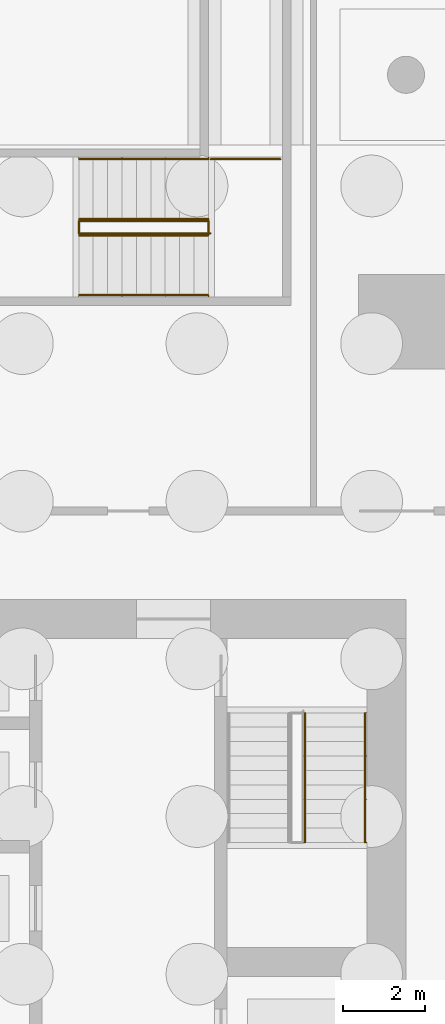
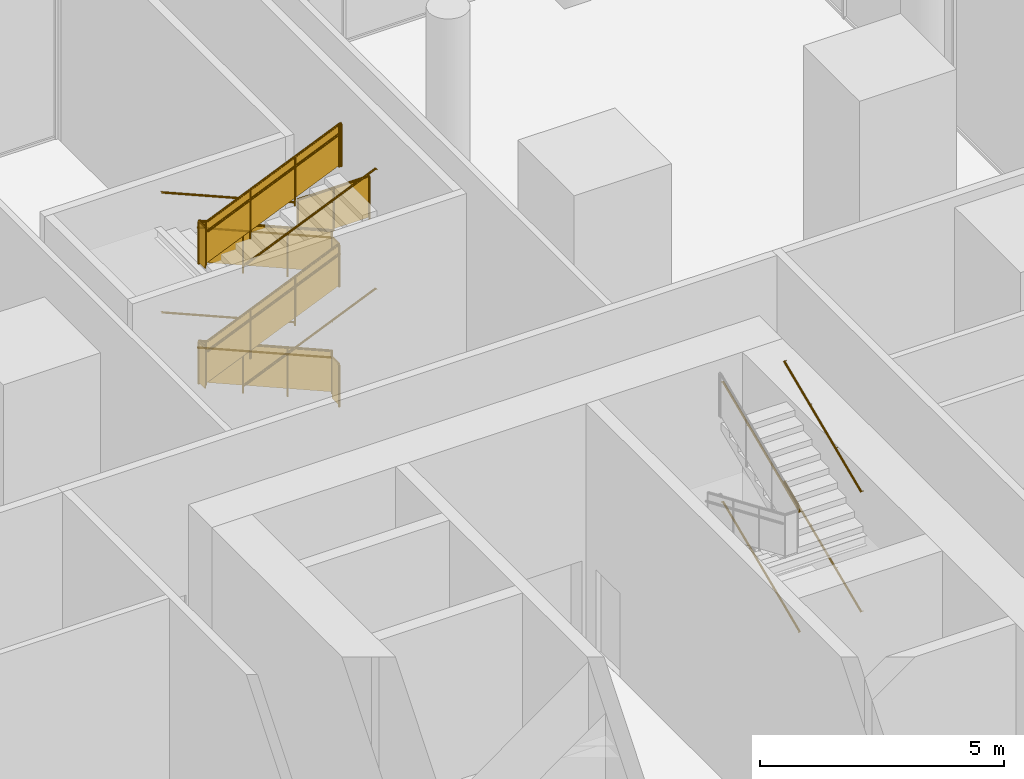
# One storey, part 30 of 31: 14 railings.
"""IFC4 building model written with IfcOpenShell, lengths in metres."""

import ifcopenshell
import ifcopenshell.guid

model = None  # the IFC model being written
_history = None  # IfcOwnerHistory: only IFC2X3 demands one
_inside = {}  # id of a spatial element -> (the spatial element, [elements in it])
_under = {}  # id of a project, library or spatial element -> (it, [spatial elements below it])
_declared = {}  # id of a project -> (the project, [libraries it declares])
_typed = {}  # id of a type object -> (the type object, [elements of that type])
_made_of = {}  # id of a material, layer set ... -> (it, [elements and type objects made of it])


def new_model(schema):
    """Start an empty IFC model of exactly this schema.

    Asked for "IFC4X3", IfcOpenShell would pick the latest addendum, in which some entities
    have other attributes; the version numbers below select the first issue.
    IFC2X3 requires an IfcOwnerHistory on every rooted entity: one is made here for all.
    """
    global model, _history
    if schema == "IFC4X3":
        model = ifcopenshell.file(schema_version=(4, 3, 0, 0))
    else:
        model = ifcopenshell.file(schema=schema)
    _inside.clear()
    _under.clear()
    _declared.clear()
    _typed.clear()
    _made_of.clear()
    _history = None
    if model.schema == "IFC2X3":
        org = make("IfcOrganization", Name="unknown")
        user = make(
            "IfcPersonAndOrganization",
            ThePerson=make("IfcPerson", FamilyName="unknown"),
            TheOrganization=org,
        )
        app = make(
            "IfcApplication",
            ApplicationDeveloper=org,
            Version="unknown",
            ApplicationFullName="unknown",
            ApplicationIdentifier="unknown",
        )
        _history = make(
            "IfcOwnerHistory",
            OwningUser=user,
            OwningApplication=app,
            ChangeAction="ADDED",
            CreationDate=0,
        )
    return model


def make(cls, **values):
    """One entity of the class cls with the attributes given. An attribute that is None is left unset."""
    return model.create_entity(
        cls, **{name: value for name, value in values.items() if value is not None}
    )


def rooted(cls, **values):
    """An entity with a GlobalId (a new one), such as an element, a storey or a relation."""
    return make(cls, GlobalId=ifcopenshell.guid.new(), OwnerHistory=_history, **values)


def si_unit(unit_type, name, prefix=None):
    """IfcSIUnit, for example si_unit("LENGTHUNIT", "METRE", prefix="MILLI")."""
    return make("IfcSIUnit", UnitType=unit_type, Prefix=prefix, Name=name)


def assignment(units):
    """IfcUnitAssignment: the units of a project."""
    return None if units is None else make("IfcUnitAssignment", Units=units)


def point(xyz):
    """IfcCartesianPoint."""
    return None if xyz is None else make("IfcCartesianPoint", Coordinates=xyz)


def direction(xyz):
    """IfcDirection."""
    return None if xyz is None else make("IfcDirection", DirectionRatios=xyz)


def frame(location, z_axis=None, x_axis=None):
    """IfcAxis2Placement3D, a coordinate frame: its origin and axes. An axis left out is left unset."""
    return make(
        "IfcAxis2Placement3D",
        Location=point(location),
        Axis=direction(z_axis),
        RefDirection=direction(x_axis),
    )


def frame_2d(location, x_axis=None):
    """IfcAxis2Placement2D, a coordinate frame in the plane: its origin and x axis."""
    return make(
        "IfcAxis2Placement2D", Location=point(location), RefDirection=direction(x_axis)
    )


def origin():
    """The frame at (0, 0, 0) with its axes left unset."""
    return frame((0.0, 0.0, 0.0))


def origin_2d():
    """The frame at (0, 0) in the plane with its x axis left unset."""
    return frame_2d((0.0, 0.0))


def place(relative_to, where):
    """IfcLocalPlacement: puts the frame where relative to a parent placement (None: the world)."""
    return make(
        "IfcLocalPlacement", PlacementRelTo=relative_to, RelativePlacement=where
    )


def context(
    kind, dimensions, precision=None, world=None, true_north=None, identifier=None
):
    """IfcGeometricRepresentationContext, for example the 3D "Model" context."""
    return make(
        "IfcGeometricRepresentationContext",
        ContextIdentifier=identifier,
        ContextType=kind,
        CoordinateSpaceDimension=dimensions,
        Precision=precision,
        WorldCoordinateSystem=world,
        TrueNorth=true_north,
    )


def subcontext(parent, identifier, kind, view, scale=None):
    """IfcGeometricRepresentationSubContext, for example "Body" below "Model"."""
    return make(
        "IfcGeometricRepresentationSubContext",
        ContextIdentifier=identifier,
        ContextType=kind,
        ParentContext=parent,
        TargetScale=scale,
        TargetView=view,
    )


def project(units=None, contexts=None):
    """IfcProject with its units and contexts."""
    return rooted(
        "IfcProject",
        Name="project",
        RepresentationContexts=contexts,
        UnitsInContext=assignment(units),
    )


def spatial(cls, under=None, at=None, **own):
    """A site, building, storey or space (cls), placed at a placement, below another one or the project."""
    s = rooted(cls, ObjectPlacement=at, **own)
    if under is not None:
        _under.setdefault(under.id(), (under, []))[1].append(s)
    return s


def polyline(points):
    """IfcPolyline through the points."""
    return make("IfcPolyline", Points=[point(p) for p in points])


def profile(cls, at=None, kind="AREA", **sizes):
    """A parametric profile (cls). Its sizes go by their IFC names, for example OverallWidth=200.0."""
    return make(cls, ProfileType=kind, Position=at, **sizes)


def circle(**sizes):
    """IfcCircleProfileDef."""
    return profile("IfcCircleProfileDef", **sizes)


def outline(outer, holes=None, kind="AREA"):
    """IfcArbitraryClosedProfileDef: a profile drawn as a closed curve; with holes, ...WithVoids."""
    if holes is None:
        return make("IfcArbitraryClosedProfileDef", ProfileType=kind, OuterCurve=outer)
    return make(
        "IfcArbitraryProfileDefWithVoids",
        ProfileType=kind,
        OuterCurve=outer,
        InnerCurves=holes,
    )


def extrude(swept, where, along, depth):
    """IfcExtrudedAreaSolid: the profile swept, set in the frame where, extruded along a direction by depth."""
    return make(
        "IfcExtrudedAreaSolid",
        SweptArea=swept,
        Position=where,
        ExtrudedDirection=direction(along),
        Depth=depth,
    )


def shape(context_of_items, identifier, shape_type, items):
    """IfcShapeRepresentation: the items that make up one representation, for example the "Body"."""
    return make(
        "IfcShapeRepresentation",
        ContextOfItems=context_of_items,
        RepresentationIdentifier=identifier,
        RepresentationType=shape_type,
        Items=items,
    )


def material(Name=None, Category=None):
    """IfcMaterial."""
    return make("IfcMaterial", Name=Name, Category=Category)


def made_of(thing, what):
    """Note that an element or type object is made of a material, layer set ...; save() writes the relation."""
    if what is not None:
        _made_of.setdefault(what.id(), (what, []))[1].append(thing)
    return thing


def type_object(cls, material=None, **own):
    """A type object (cls), such as IfcWallType, which elements share."""
    return made_of(rooted(cls, **own), material)


def element(
    cls,
    number,
    at=None,
    inside=None,
    cuts=None,
    type_object=None,
    material=None,
    context=None,
    identifier="Body",
    shape_type=None,
    held_by="IfcProductDefinitionShape",
    body=None,
    shapes=None,
    **own,
):
    """One element of the class cls, such as IfcWall. Its Tag is "e" and its number.

    at: its placement. inside: the storey or other place that contains it. cuts: it is an
    opening in that element (IfcRelVoidsElement). A single representation is given by context,
    identifier, shape_type and body (its items); several are given by shapes. held_by: the class
    of the entity that holds the representations. save() writes the other relations.
    """
    e = rooted(cls, Tag="e%d" % number, ObjectPlacement=at, **own)
    if body is not None:
        shapes = [shape(context, identifier, shape_type, body)]
    if shapes is not None:
        e.Representation = make(held_by, Representations=shapes)
    if inside is not None:
        _inside.setdefault(inside.id(), (inside, []))[1].append(e)
    if cuts is not None:
        rooted(
            "IfcRelVoidsElement", RelatingBuildingElement=cuts, RelatedOpeningElement=e
        )
    if type_object is not None:
        _typed.setdefault(type_object.id(), (type_object, []))[1].append(e)
    return made_of(e, material)


def aggregate(whole, parts):
    """IfcRelAggregates: a whole, such as a stair, and the parts it consists of."""
    return rooted("IfcRelAggregates", RelatingObject=whole, RelatedObjects=parts)


def save(model, path):
    """Write the relations noted so far, then the file.

    IfcRelAggregates (storeys below a building ...), IfcRelContainedInSpatialStructure (elements
    in a storey), IfcRelDefinesByType, IfcRelAssociatesMaterial and IfcRelDeclares: one each for
    every whole, place, type object, material and project.
    """
    for whole, parts in _under.values():
        aggregate(whole, parts)
    for where, things in _inside.values():
        rooted(
            "IfcRelContainedInSpatialStructure",
            RelatedElements=things,
            RelatingStructure=where,
        )
    for kind, things in _typed.values():
        rooted("IfcRelDefinesByType", RelatedObjects=things, RelatingType=kind)
    for what, things in _made_of.values():
        rooted("IfcRelAssociatesMaterial", RelatedObjects=things, RelatingMaterial=what)
    for by, libraries in _declared.values():
        rooted("IfcRelDeclares", RelatingContext=by, RelatedDefinitions=libraries)
    model.write(path)


model = new_model("IFC4")

# Units and contexts
model_context = context("Model", 3, precision=1e-05, world=origin(), true_north=direction((0.0, 1.0)))
body_context = subcontext(model_context, "Body", "Model", "MODEL_VIEW")
ifc_project = project(units=[si_unit("LENGTHUNIT", "METRE"), si_unit("AREAUNIT", "SQUARE_METRE"), si_unit("VOLUMEUNIT", "CUBIC_METRE"), si_unit("PLANEANGLEUNIT", "RADIAN"), si_unit("MASSUNIT", "GRAM", prefix="KILO")], contexts=[model_context])

# Site, building, storey
site_placement = place(None, origin())
site = spatial("IfcSite", under=ifc_project, at=site_placement, CompositionType="ELEMENT")
building_placement = place(site_placement, origin())
building = spatial("IfcBuilding", under=site, at=building_placement, Name="Namib Vertical Campus", CompositionType="ELEMENT")
storey_placement = place(building_placement, origin())
storey = spatial("IfcBuildingStorey", under=building, at=storey_placement, Name="L00", CompositionType="ELEMENT", Elevation=0.0)

# Railings
ifc_material_1 = material(Name="Steel handrail", Category="steel")
railing_type_1 = type_object("IfcRailingType", Name="Handrail 900", PredefinedType="HANDRAIL", material=ifc_material_1)
for number, where, name in (
    (1, (86.75, 23.35009765625, 1.64990234375), "Handrail HR1 B-S2 L00 2"),
    (2, (86.75, 23.35009765625, 4.64990234375), "Handrail HR1 B-S2 L00 4"),
):
    element("IfcRailing", number, at=place(storey_placement, frame(where)), inside=storey, type_object=railing_type_1, Name=name, PredefinedType="HANDRAIL", context=body_context, shape_type="SweptSolid", body=[
        extrude(circle(Radius=0.02392578125, at=origin_2d()), frame((0.0, 0.0, 0.8759765625), z_axis=(0.0, 0.919130290196, 0.393953689721), x_axis=(-1.0, 0.0, 0.0)), (0.0, 0.0, 1.0), 3.427001953125),
        extrude(circle(Radius=0.008056640625, at=origin_2d()), frame((0.0, 0.0, 0.8759765625), z_axis=(1.0, 0.0, 0.0), x_axis=(0.0, 0.0, 1.0)), (0.0, 0.0, 1.0), 0.050048828125),
        extrude(circle(Radius=0.008056640625, at=origin_2d()), frame((0.0, 1.050048828125, 1.325927734375), z_axis=(1.0, 0.0, 0.0), x_axis=(0.0, 0.0, 1.0)), (0.0, 0.0, 1.0), 0.050048828125),
        extrude(circle(Radius=0.008056640625, at=origin_2d()), frame((0.0, 2.099853515625, 1.77587890625), z_axis=(1.0, 0.0, 0.0), x_axis=(0.0, 0.0, 1.0)), (0.0, 0.0, 1.0), 0.050048828125),
        extrude(circle(Radius=0.008056640625, at=origin_2d()), frame((0.0, 3.14990234375, 2.22607421875), z_axis=(1.0, 0.0, 0.0), x_axis=(0.0, 0.0, 1.0)), (0.0, 0.0, 1.0), 0.050048828125),
    ])
for number, where, name in (
    (3, (85.300048828125, 23.35009765625, 1.64990234375), "Handrail HR1 B-S2 L00 2 at the well"),
    (4, (85.300048828125, 23.35009765625, 4.64990234375), "Handrail HR1 B-S2 L00 4 at the well"),
):
    element("IfcRailing", number, at=place(storey_placement, frame(where)), inside=storey, type_object=railing_type_1, Name=name, PredefinedType="HANDRAIL", context=body_context, shape_type="SweptSolid", body=[
        extrude(circle(Radius=0.02392578125, at=origin_2d()), frame((0.0, 0.0, 0.8759765625), z_axis=(0.0, 0.919130290196, 0.393953689721), x_axis=(-1.0, 0.0, 0.0)), (0.0, 0.0, 1.0), 3.427001953125),
        extrude(circle(Radius=0.008056640625, at=origin_2d()), frame((0.0, 0.0, 0.8759765625), z_axis=(-1.0, 0.0, 0.0), x_axis=(0.0, 0.0, 1.0)), (0.0, 0.0, 1.0), 0.0400390625),
        extrude(circle(Radius=0.008056640625, at=origin_2d()), frame((0.0, 1.050048828125, 1.325927734375), z_axis=(-1.0, 0.0, 0.0), x_axis=(0.0, 0.0, 1.0)), (0.0, 0.0, 1.0), 0.0400390625),
        extrude(circle(Radius=0.008056640625, at=origin_2d()), frame((0.0, 2.099853515625, 1.77587890625), z_axis=(-1.0, 0.0, 0.0), x_axis=(0.0, 0.0, 1.0)), (0.0, 0.0, 1.0), 0.0400390625),
        extrude(circle(Radius=0.008056640625, at=origin_2d()), frame((0.0, 3.14990234375, 2.22607421875), z_axis=(-1.0, 0.0, 0.0), x_axis=(0.0, 0.0, 1.0)), (0.0, 0.0, 1.0), 0.0400390625),
    ])
railing_1_placement = place(storey_placement, frame((82.949951171875, 39.949951171875, 0.14990234375)))
element("IfcRailing", 5, at=railing_1_placement, inside=storey, type_object=railing_type_1, Name="Handrail HR1 B-S3 L00 1", PredefinedType="HANDRAIL", context=body_context, shape_type="SweptSolid", body=[
    extrude(circle(Radius=0.02392578125, at=origin_2d()), frame((0.0, 0.0, 0.8759765625), z_axis=(-0.919130290196, 0.0, 0.393953689721), x_axis=(0.0, -1.0, 0.0)), (0.0, 0.0, 1.0), 3.427001953125),
    extrude(circle(Radius=0.008056640625, at=origin_2d()), frame((0.0, 0.0, 0.8759765625), z_axis=(0.0, 1.0, 0.0), x_axis=(0.0, 0.0, 1.0)), (0.0, 0.0, 1.0), 0.050048828125),
    extrude(circle(Radius=0.008056640625, at=origin_2d()), frame((-1.050048828125, 0.0, 1.325927734375), z_axis=(0.0, 1.0, 0.0), x_axis=(0.0, 0.0, 1.0)), (0.0, 0.0, 1.0), 0.050048828125),
    extrude(circle(Radius=0.008056640625, at=origin_2d()), frame((-2.099853515625, 0.0, 1.77587890625), z_axis=(0.0, 1.0, 0.0), x_axis=(0.0, 0.0, 1.0)), (0.0, 0.0, 1.0), 0.050048828125),
    extrude(circle(Radius=0.008056640625, at=origin_2d()), frame((-3.14990234375, 0.0, 2.22607421875), z_axis=(0.0, 1.0, 0.0), x_axis=(0.0, 0.0, 1.0)), (0.0, 0.0, 1.0), 0.050048828125),
])
railing_2_placement = place(storey_placement, frame((79.800048828125, 36.64990234375, 1.64990234375)))
element("IfcRailing", 6, at=railing_2_placement, inside=storey, type_object=railing_type_1, Name="Handrail HR1 B-S3 L00 2", PredefinedType="HANDRAIL", context=body_context, shape_type="SweptSolid", body=[
    extrude(circle(Radius=0.02392578125, at=origin_2d()), frame((0.0, 0.0, 0.8759765625), z_axis=(0.919130290196, 0.0, 0.393953689721), x_axis=(0.0, 1.0, 0.0)), (0.0, 0.0, 1.0), 3.427001953125),
    extrude(circle(Radius=0.008056640625, at=origin_2d()), frame((0.0, 0.0, 0.8759765625), z_axis=(0.0, -1.0, 0.0), x_axis=(0.0, 0.0, 1.0)), (0.0, 0.0, 1.0), 0.050048828125),
    extrude(circle(Radius=0.008056640625, at=origin_2d()), frame((1.050048828125, 0.0, 1.325927734375), z_axis=(0.0, -1.0, 0.0), x_axis=(0.0, 0.0, 1.0)), (0.0, 0.0, 1.0), 0.050048828125),
    extrude(circle(Radius=0.008056640625, at=origin_2d()), frame((2.099853515625, 0.0, 1.77587890625), z_axis=(0.0, -1.0, 0.0), x_axis=(0.0, 0.0, 1.0)), (0.0, 0.0, 1.0), 0.050048828125),
    extrude(circle(Radius=0.008056640625, at=origin_2d()), frame((3.14990234375, 0.0, 2.22607421875), z_axis=(0.0, -1.0, 0.0), x_axis=(0.0, 0.0, 1.0)), (0.0, 0.0, 1.0), 0.050048828125),
])
railing_3_placement = place(storey_placement, frame((82.949951171875, 39.949951171875, 3.14990234375)))
element("IfcRailing", 7, at=railing_3_placement, inside=storey, type_object=railing_type_1, Name="Handrail HR1 B-S3 L00 3", PredefinedType="HANDRAIL", context=body_context, shape_type="SweptSolid", body=[
    extrude(circle(Radius=0.02392578125, at=origin_2d()), frame((0.0, 0.0, 0.8759765625), z_axis=(-0.919130290196, 0.0, 0.393953689721), x_axis=(0.0, -1.0, 0.0)), (0.0, 0.0, 1.0), 3.427001953125),
    extrude(circle(Radius=0.008056640625, at=origin_2d()), frame((0.0, 0.0, 0.8759765625), z_axis=(0.0, 1.0, 0.0), x_axis=(0.0, 0.0, 1.0)), (0.0, 0.0, 1.0), 0.050048828125),
    extrude(circle(Radius=0.008056640625, at=origin_2d()), frame((-1.050048828125, 0.0, 1.325927734375), z_axis=(0.0, 1.0, 0.0), x_axis=(0.0, 0.0, 1.0)), (0.0, 0.0, 1.0), 0.050048828125),
    extrude(circle(Radius=0.008056640625, at=origin_2d()), frame((-2.099853515625, 0.0, 1.77587890625), z_axis=(0.0, 1.0, 0.0), x_axis=(0.0, 0.0, 1.0)), (0.0, 0.0, 1.0), 0.050048828125),
    extrude(circle(Radius=0.008056640625, at=origin_2d()), frame((-3.14990234375, 0.0, 2.22607421875), z_axis=(0.0, 1.0, 0.0), x_axis=(0.0, 0.0, 1.0)), (0.0, 0.0, 1.0), 0.050048828125),
])
railing_4_placement = place(storey_placement, frame((79.800048828125, 36.64990234375, 4.64990234375)))
element("IfcRailing", 8, at=railing_4_placement, inside=storey, type_object=railing_type_1, Name="Handrail HR1 B-S3 L00 4", PredefinedType="HANDRAIL", context=body_context, shape_type="SweptSolid", body=[
    extrude(circle(Radius=0.02392578125, at=origin_2d()), frame((0.0, 0.0, 0.8759765625), z_axis=(0.919130290196, 0.0, 0.393953689721), x_axis=(0.0, 1.0, 0.0)), (0.0, 0.0, 1.0), 3.427001953125),
    extrude(circle(Radius=0.008056640625, at=origin_2d()), frame((0.0, 0.0, 0.8759765625), z_axis=(0.0, -1.0, 0.0), x_axis=(0.0, 0.0, 1.0)), (0.0, 0.0, 1.0), 0.050048828125),
    extrude(circle(Radius=0.008056640625, at=origin_2d()), frame((1.050048828125, 0.0, 1.325927734375), z_axis=(0.0, -1.0, 0.0), x_axis=(0.0, 0.0, 1.0)), (0.0, 0.0, 1.0), 0.050048828125),
    extrude(circle(Radius=0.008056640625, at=origin_2d()), frame((2.099853515625, 0.0, 1.77587890625), z_axis=(0.0, -1.0, 0.0), x_axis=(0.0, 0.0, 1.0)), (0.0, 0.0, 1.0), 0.050048828125),
    extrude(circle(Radius=0.008056640625, at=origin_2d()), frame((3.14990234375, 0.0, 2.22607421875), z_axis=(0.0, -1.0, 0.0), x_axis=(0.0, 0.0, 1.0)), (0.0, 0.0, 1.0), 0.050048828125),
])
railing_5_placement = place(storey_placement, frame((82.949951171875, 38.5, 0.14990234375)))
element("IfcRailing", 9, at=railing_5_placement, inside=storey, type_object=railing_type_1, Name="Handrail HR1 B-S3 L00 1 at the well", PredefinedType="HANDRAIL", context=body_context, shape_type="SweptSolid", body=[
    extrude(circle(Radius=0.02392578125, at=origin_2d()), frame((0.0, 0.0, 0.8759765625), z_axis=(-0.919130290196, 0.0, 0.393953689721), x_axis=(0.0, -1.0, 0.0)), (0.0, 0.0, 1.0), 3.427001953125),
    extrude(circle(Radius=0.008056640625, at=origin_2d()), frame((0.0, 0.0, 0.8759765625), z_axis=(0.0, -1.0, 0.0), x_axis=(0.0, 0.0, 1.0)), (0.0, 0.0, 1.0), 0.0400390625),
    extrude(circle(Radius=0.008056640625, at=origin_2d()), frame((-1.050048828125, 0.0, 1.325927734375), z_axis=(0.0, -1.0, 0.0), x_axis=(0.0, 0.0, 1.0)), (0.0, 0.0, 1.0), 0.0400390625),
    extrude(circle(Radius=0.008056640625, at=origin_2d()), frame((-2.099853515625, 0.0, 1.77587890625), z_axis=(0.0, -1.0, 0.0), x_axis=(0.0, 0.0, 1.0)), (0.0, 0.0, 1.0), 0.0400390625),
    extrude(circle(Radius=0.008056640625, at=origin_2d()), frame((-3.14990234375, 0.0, 2.22607421875), z_axis=(0.0, -1.0, 0.0), x_axis=(0.0, 0.0, 1.0)), (0.0, 0.0, 1.0), 0.0400390625),
])
railing_6_placement = place(storey_placement, frame((79.800048828125, 38.10009765625, 1.64990234375)))
element("IfcRailing", 10, at=railing_6_placement, inside=storey, type_object=railing_type_1, Name="Handrail HR1 B-S3 L00 2 at the well", PredefinedType="HANDRAIL", context=body_context, shape_type="SweptSolid", body=[
    extrude(circle(Radius=0.02392578125, at=origin_2d()), frame((0.0, 0.0, 0.8759765625), z_axis=(0.919130290196, 0.0, 0.393953689721), x_axis=(0.0, 1.0, 0.0)), (0.0, 0.0, 1.0), 3.427001953125),
    extrude(circle(Radius=0.008056640625, at=origin_2d()), frame((0.0, 0.0, 0.8759765625), z_axis=(0.0, 1.0, 0.0), x_axis=(0.0, 0.0, 1.0)), (0.0, 0.0, 1.0), 0.0400390625),
    extrude(circle(Radius=0.008056640625, at=origin_2d()), frame((1.050048828125, 0.0, 1.325927734375), z_axis=(0.0, 1.0, 0.0), x_axis=(0.0, 0.0, 1.0)), (0.0, 0.0, 1.0), 0.0400390625),
    extrude(circle(Radius=0.008056640625, at=origin_2d()), frame((2.099853515625, 0.0, 1.77587890625), z_axis=(0.0, 1.0, 0.0), x_axis=(0.0, 0.0, 1.0)), (0.0, 0.0, 1.0), 0.0400390625),
    extrude(circle(Radius=0.008056640625, at=origin_2d()), frame((3.14990234375, 0.0, 2.22607421875), z_axis=(0.0, 1.0, 0.0), x_axis=(0.0, 0.0, 1.0)), (0.0, 0.0, 1.0), 0.0400390625),
])
railing_7_placement = place(storey_placement, frame((82.949951171875, 38.5, 3.14990234375)))
element("IfcRailing", 11, at=railing_7_placement, inside=storey, type_object=railing_type_1, Name="Handrail HR1 B-S3 L00 3 at the well", PredefinedType="HANDRAIL", context=body_context, shape_type="SweptSolid", body=[
    extrude(circle(Radius=0.02392578125, at=origin_2d()), frame((0.0, 0.0, 0.8759765625), z_axis=(-0.919130290196, 0.0, 0.393953689721), x_axis=(0.0, -1.0, 0.0)), (0.0, 0.0, 1.0), 3.427001953125),
    extrude(circle(Radius=0.008056640625, at=origin_2d()), frame((0.0, 0.0, 0.8759765625), z_axis=(0.0, -1.0, 0.0), x_axis=(0.0, 0.0, 1.0)), (0.0, 0.0, 1.0), 0.0400390625),
    extrude(circle(Radius=0.008056640625, at=origin_2d()), frame((-1.050048828125, 0.0, 1.325927734375), z_axis=(0.0, -1.0, 0.0), x_axis=(0.0, 0.0, 1.0)), (0.0, 0.0, 1.0), 0.0400390625),
    extrude(circle(Radius=0.008056640625, at=origin_2d()), frame((-2.099853515625, 0.0, 1.77587890625), z_axis=(0.0, -1.0, 0.0), x_axis=(0.0, 0.0, 1.0)), (0.0, 0.0, 1.0), 0.0400390625),
    extrude(circle(Radius=0.008056640625, at=origin_2d()), frame((-3.14990234375, 0.0, 2.22607421875), z_axis=(0.0, -1.0, 0.0), x_axis=(0.0, 0.0, 1.0)), (0.0, 0.0, 1.0), 0.0400390625),
])
railing_8_placement = place(storey_placement, frame((79.800048828125, 38.10009765625, 4.64990234375)))
element("IfcRailing", 12, at=railing_8_placement, inside=storey, type_object=railing_type_1, Name="Handrail HR1 B-S3 L00 4 at the well", PredefinedType="HANDRAIL", context=body_context, shape_type="SweptSolid", body=[
    extrude(circle(Radius=0.02392578125, at=origin_2d()), frame((0.0, 0.0, 0.8759765625), z_axis=(0.919130290196, 0.0, 0.393953689721), x_axis=(0.0, 1.0, 0.0)), (0.0, 0.0, 1.0), 3.427001953125),
    extrude(circle(Radius=0.008056640625, at=origin_2d()), frame((0.0, 0.0, 0.8759765625), z_axis=(0.0, 1.0, 0.0), x_axis=(0.0, 0.0, 1.0)), (0.0, 0.0, 1.0), 0.0400390625),
    extrude(circle(Radius=0.008056640625, at=origin_2d()), frame((1.050048828125, 0.0, 1.325927734375), z_axis=(0.0, 1.0, 0.0), x_axis=(0.0, 0.0, 1.0)), (0.0, 0.0, 1.0), 0.0400390625),
    extrude(circle(Radius=0.008056640625, at=origin_2d()), frame((2.099853515625, 0.0, 1.77587890625), z_axis=(0.0, 1.0, 0.0), x_axis=(0.0, 0.0, 1.0)), (0.0, 0.0, 1.0), 0.0400390625),
    extrude(circle(Radius=0.008056640625, at=origin_2d()), frame((3.14990234375, 0.0, 2.22607421875), z_axis=(0.0, 1.0, 0.0), x_axis=(0.0, 0.0, 1.0)), (0.0, 0.0, 1.0), 0.0400390625),
])
ifc_material_2 = material(Name="Steel balustrade", Category="steel")
railing_type_2 = type_object("IfcRailingType", Name="Stair guard 1100", PredefinedType="GUARDRAIL", material=ifc_material_2)
railing_9_placement = place(storey_placement, frame((82.949951171875, 38.14990234375, 0.0)))
element("IfcRailing", 13, at=railing_9_placement, inside=storey, type_object=railing_type_2, Name="Stair guard GR1 B-S3 L00", PredefinedType="GUARDRAIL", context=body_context, shape_type="SweptSolid", body=[
    extrude(circle(Radius=0.02392578125, at=origin_2d()), frame((0.0, 0.0, 1.076171875), z_axis=(0.0, 1.0, 0.0), x_axis=(-1.0, 0.0, 0.0)), (0.0, 0.0, 1.0), 0.300048828125),
    extrude(outline(polyline([(0.02099609375, 0.050048828125), (0.279052734375, 0.050048828125), (0.279052734375, 1.052001953125), (0.02099609375, 1.052001953125), (0.02099609375, 0.050048828125)])), frame((-0.010009765625, 0.0, 0.0), z_axis=(1.0, 0.0, 0.0), x_axis=(0.0, 1.0, 0.0)), (0.0, 0.0, 1.0), 0.02001953125),
    extrude(circle(Radius=0.02392578125, at=origin_2d()), frame((0.0, 0.300048828125, 1.076171875), z_axis=(0.0, 0.0, 1.0), x_axis=(1.0, 0.0, 0.0)), (0.0, 0.0, 1.0), 0.14990234375),
    extrude(circle(Radius=0.02392578125, at=origin_2d()), frame((0.0, 0.300048828125, 1.22607421875), z_axis=(-0.919130290196, 0.0, 0.393953689721), x_axis=(0.0, -1.0, 0.0)), (0.0, 0.0, 1.0), 3.427001953125),
    extrude(outline(polyline([(0.02099609375, 0.05908203125), (3.12890625, 1.39111328125), (3.12890625, 2.39306640625), (0.02099609375, 1.06103515625), (0.02099609375, 0.05908203125)])), frame((0.0, 0.2900390625, 0.14990234375), z_axis=(0.0, 1.0, 0.0), x_axis=(-1.0, 0.0, 0.0)), (0.0, 0.0, 1.0), 0.02001953125),
    extrude(circle(Radius=0.02392578125, at=origin_2d()), frame((-3.14990234375, 0.300048828125, 2.576171875), z_axis=(0.0, -1.0, 0.0), x_axis=(1.0, 0.0, 0.0)), (0.0, 0.0, 1.0), 0.300048828125),
    extrude(outline(polyline([(0.02099609375, 0.050048828125), (0.279052734375, 0.050048828125), (0.279052734375, 1.052001953125), (0.02099609375, 1.052001953125), (0.02099609375, 0.050048828125)])), frame((-3.139892578125, 0.300048828125, 1.5), z_axis=(-1.0, 0.0, 0.0), x_axis=(0.0, -1.0, 0.0)), (0.0, 0.0, 1.0), 0.02001953125),
    extrude(circle(Radius=0.02392578125, at=origin_2d()), frame((-3.14990234375, 0.0, 2.576171875), z_axis=(0.0, 0.0, 1.0), x_axis=(1.0, 0.0, 0.0)), (0.0, 0.0, 1.0), 0.14990234375),
    extrude(circle(Radius=0.02392578125, at=origin_2d()), frame((-3.14990234375, 0.0, 2.72607421875), z_axis=(0.919130290196, 0.0, 0.393953689721), x_axis=(0.0, 1.0, 0.0)), (0.0, 0.0, 1.0), 3.427001953125),
    extrude(outline(polyline([(0.02099609375, 0.05908203125), (3.12890625, 1.39111328125), (3.12890625, 2.39306640625), (0.02099609375, 1.06103515625), (0.02099609375, 0.05908203125)])), frame((-3.14990234375, 0.010009765625, 1.64990234375), z_axis=(0.0, -1.0, 0.0), x_axis=(1.0, 0.0, 0.0)), (0.0, 0.0, 1.0), 0.02001953125),
    extrude(circle(Radius=0.02392578125, at=origin_2d()), frame((0.0, 0.0, 4.076171875), z_axis=(0.0, 1.0, 0.0), x_axis=(-1.0, 0.0, 0.0)), (0.0, 0.0, 1.0), 0.300048828125),
    extrude(outline(polyline([(0.02099609375, 0.050048828125), (0.279052734375, 0.050048828125), (0.279052734375, 1.052001953125), (0.02099609375, 1.052001953125), (0.02099609375, 0.050048828125)])), frame((-0.010009765625, 0.0, 3.0), z_axis=(1.0, 0.0, 0.0), x_axis=(0.0, 1.0, 0.0)), (0.0, 0.0, 1.0), 0.02001953125),
    extrude(circle(Radius=0.02392578125, at=origin_2d()), frame((0.0, 0.300048828125, 4.076171875), z_axis=(0.0, 0.0, 1.0), x_axis=(1.0, 0.0, 0.0)), (0.0, 0.0, 1.0), 0.14990234375),
    extrude(circle(Radius=0.02392578125, at=origin_2d()), frame((0.0, 0.300048828125, 4.22607421875), z_axis=(-0.919130290196, 0.0, 0.393953689721), x_axis=(0.0, -1.0, 0.0)), (0.0, 0.0, 1.0), 3.427001953125),
    extrude(outline(polyline([(0.02099609375, 0.05908203125), (3.12890625, 1.39111328125), (3.12890625, 2.39306640625), (0.02099609375, 1.06103515625), (0.02099609375, 0.05908203125)])), frame((0.0, 0.2900390625, 3.14990234375), z_axis=(0.0, 1.0, 0.0), x_axis=(-1.0, 0.0, 0.0)), (0.0, 0.0, 1.0), 0.02001953125),
    extrude(circle(Radius=0.02392578125, at=origin_2d()), frame((-3.14990234375, 0.300048828125, 5.576171875), z_axis=(0.0, -1.0, 0.0), x_axis=(1.0, 0.0, 0.0)), (0.0, 0.0, 1.0), 0.300048828125),
    extrude(outline(polyline([(0.02099609375, 0.050048828125), (0.279052734375, 0.050048828125), (0.279052734375, 1.052001953125), (0.02099609375, 1.052001953125), (0.02099609375, 0.050048828125)])), frame((-3.139892578125, 0.300048828125, 4.5), z_axis=(-1.0, 0.0, 0.0), x_axis=(0.0, -1.0, 0.0)), (0.0, 0.0, 1.0), 0.02001953125),
    extrude(circle(Radius=0.02392578125, at=origin_2d()), frame((-3.14990234375, 0.0, 5.576171875), z_axis=(0.0, 0.0, 1.0), x_axis=(1.0, 0.0, 0.0)), (0.0, 0.0, 1.0), 0.14990234375),
    extrude(circle(Radius=0.02392578125, at=origin_2d()), frame((-3.14990234375, 0.0, 5.72607421875), z_axis=(0.919130290196, 0.0, 0.393953689721), x_axis=(0.0, 1.0, 0.0)), (0.0, 0.0, 1.0), 3.427001953125),
    extrude(outline(polyline([(0.02099609375, 0.05908203125), (3.12890625, 1.39111328125), (3.12890625, 2.39306640625), (0.02099609375, 1.06103515625), (0.02099609375, 0.05908203125)])), frame((-3.14990234375, 0.010009765625, 4.64990234375), z_axis=(0.0, -1.0, 0.0), x_axis=(1.0, 0.0, 0.0)), (0.0, 0.0, 1.0), 0.02001953125),
    extrude(circle(Radius=0.02392578125, at=origin_2d()), frame((0.0, 0.0, 7.076171875), z_axis=(1.0, 0.0, 0.0), x_axis=(0.0, 1.0, 0.0)), (0.0, 0.0, 1.0), 0.050048828125),
    extrude(outline(polyline([(0.02099609375, 0.050048828125), (0.029052734375, 0.050048828125), (0.029052734375, 1.052001953125), (0.02099609375, 1.052001953125), (0.02099609375, 0.050048828125)])), frame((0.0, 0.010009765625, 6.0), z_axis=(0.0, -1.0, 0.0), x_axis=(1.0, 0.0, 0.0)), (0.0, 0.0, 1.0), 0.02001953125),
    extrude(circle(Radius=0.02099609375, at=origin_2d()), origin(), (0.0, 0.0, 1.0), 1.052001953125),
    extrude(circle(Radius=0.02099609375, at=origin_2d()), frame((0.0, 0.300048828125, 0.14990234375)), (0.0, 0.0, 1.0), 1.052001953125),
    extrude(circle(Radius=0.02099609375, at=origin_2d()), frame((-1.050048828125, 0.300048828125, 0.449951171875)), (0.0, 0.0, 1.0), 1.2021484375),
    extrude(circle(Radius=0.02099609375, at=origin_2d()), frame((-2.099853515625, 0.300048828125, 0.89990234375)), (0.0, 0.0, 1.0), 1.2021484375),
    extrude(circle(Radius=0.02099609375, at=origin_2d()), frame((-3.14990234375, 0.300048828125, 1.5)), (0.0, 0.0, 1.0), 1.052001953125),
    extrude(circle(Radius=0.02099609375, at=origin_2d()), frame((-3.14990234375, 0.0, 1.64990234375)), (0.0, 0.0, 1.0), 1.052001953125),
    extrude(circle(Radius=0.02099609375, at=origin_2d()), frame((-2.099853515625, 0.0, 1.949951171875)), (0.0, 0.0, 1.0), 1.2021484375),
    extrude(circle(Radius=0.02099609375, at=origin_2d()), frame((-1.050048828125, 0.0, 2.39990234375)), (0.0, 0.0, 1.0), 1.2021484375),
    extrude(circle(Radius=0.02099609375, at=origin_2d()), frame((0.0, 0.0, 3.0)), (0.0, 0.0, 1.0), 1.052001953125),
    extrude(circle(Radius=0.02099609375, at=origin_2d()), frame((0.0, 0.300048828125, 3.14990234375)), (0.0, 0.0, 1.0), 1.052001953125),
    extrude(circle(Radius=0.02099609375, at=origin_2d()), frame((-1.050048828125, 0.300048828125, 3.449951171875)), (0.0, 0.0, 1.0), 1.2021484375),
    extrude(circle(Radius=0.02099609375, at=origin_2d()), frame((-2.099853515625, 0.300048828125, 3.89990234375)), (0.0, 0.0, 1.0), 1.2021484375),
    extrude(circle(Radius=0.02099609375, at=origin_2d()), frame((-3.14990234375, 0.300048828125, 4.5)), (0.0, 0.0, 1.0), 1.052001953125),
    extrude(circle(Radius=0.02099609375, at=origin_2d()), frame((-3.14990234375, 0.0, 4.64990234375)), (0.0, 0.0, 1.0), 1.052001953125),
    extrude(circle(Radius=0.02099609375, at=origin_2d()), frame((-2.099853515625, 0.0, 4.949951171875)), (0.0, 0.0, 1.0), 1.2021484375),
    extrude(circle(Radius=0.02099609375, at=origin_2d()), frame((-1.050048828125, 0.0, 5.39990234375)), (0.0, 0.0, 1.0), 1.2021484375),
    extrude(circle(Radius=0.02099609375, at=origin_2d()), frame((0.0, 0.0, 6.0)), (0.0, 0.0, 1.0), 1.052001953125),
    extrude(circle(Radius=0.02099609375, at=origin_2d()), frame((0.050048828125, 0.0, 6.0)), (0.0, 0.0, 1.0), 1.052001953125),
])
railing_10_placement = place(storey_placement, frame((83.0, 39.949951171875, 3.0)))
element("IfcRailing", 14, at=railing_10_placement, inside=storey, type_object=railing_type_2, Name="Stair guard GR1 B-S3 L00 over the exit opening 1", PredefinedType="GUARDRAIL", context=body_context, shape_type="SweptSolid", body=[
    extrude(circle(Radius=0.02392578125, at=origin_2d()), frame((0.0, 0.0, 1.076171875), z_axis=(1.0, 0.0, 0.0), x_axis=(0.0, 1.0, 0.0)), (0.0, 0.0, 1.0), 1.699951171875),
    extrude(outline(polyline([(0.02099609375, 0.050048828125), (1.678955078125, 0.050048828125), (1.678955078125, 1.052001953125), (0.02099609375, 1.052001953125), (0.02099609375, 0.050048828125)])), frame((0.0, 0.010009765625, 0.0), z_axis=(0.0, -1.0, 0.0), x_axis=(1.0, 0.0, 0.0)), (0.0, 0.0, 1.0), 0.02001953125),
    extrude(circle(Radius=0.02099609375, at=origin_2d()), origin(), (0.0, 0.0, 1.0), 1.052001953125),
    extrude(circle(Radius=0.02099609375, at=origin_2d()), frame((0.85009765625, 0.0, 0.0)), (0.0, 0.0, 1.0), 1.052001953125),
    extrude(circle(Radius=0.02099609375, at=origin_2d()), frame((1.699951171875, 0.0, 0.0)), (0.0, 0.0, 1.0), 1.052001953125),
])

save(model, "model.ifc")
